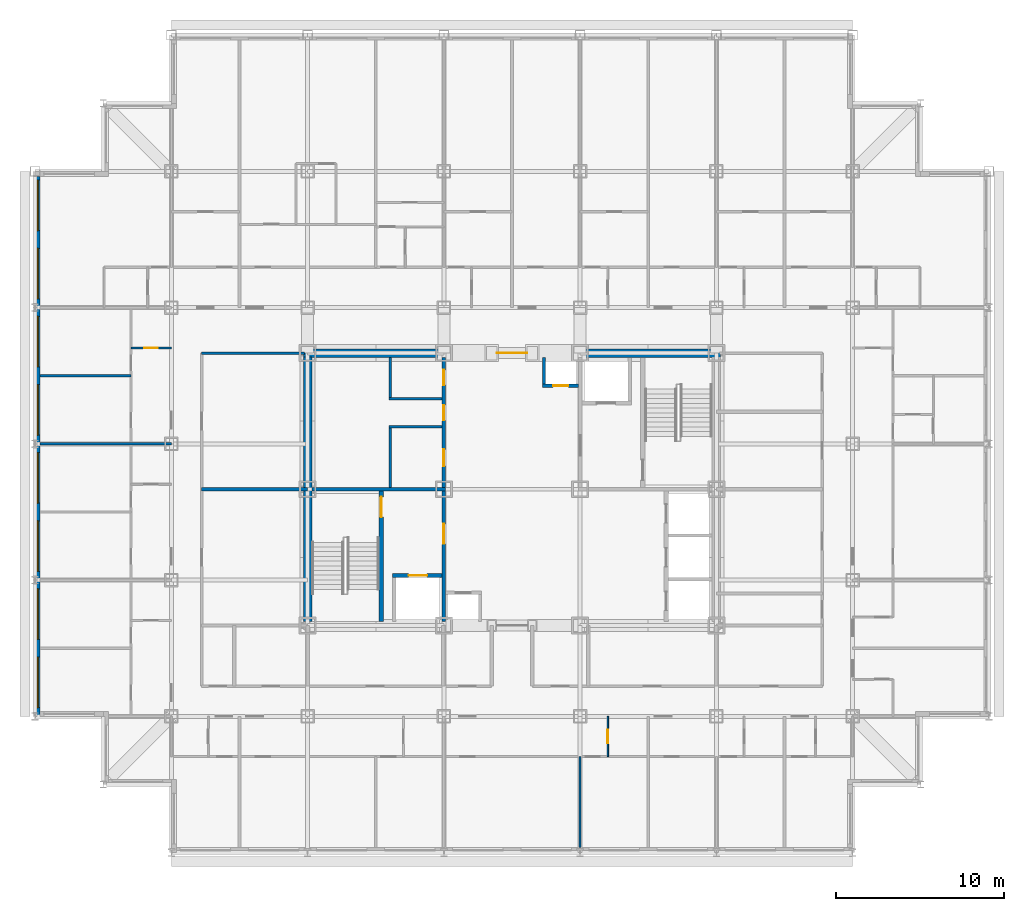
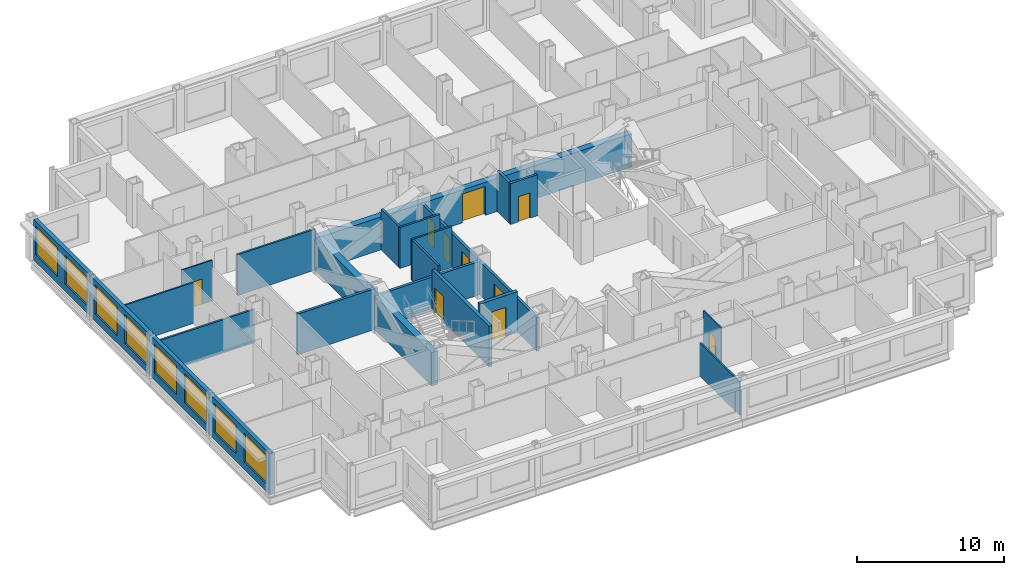
# One storey, part 6 of 12: 21 walls, 10 doors, 8 windows, 18 openings.
"""IFC4 building model written with IfcOpenShell, lengths in metres."""

from ifc_helpers import new_model, si_unit, direction, frame, frame_2d, origin, place, context, subcontext, project, spatial, rectangle, extrude, material, layer, layer_set, type_object, element, fill, save


model = new_model("IFC4")

# Units and contexts
model_context = context("Model", 3, precision=1e-05, world=origin(), true_north=direction((0.0, 1.0)))
body_context = subcontext(model_context, "Body", "Model", "MODEL_VIEW")
ifc_project = project(units=[si_unit("LENGTHUNIT", "METRE"), si_unit("AREAUNIT", "SQUARE_METRE"), si_unit("VOLUMEUNIT", "CUBIC_METRE"), si_unit("PLANEANGLEUNIT", "RADIAN"), si_unit("MASSUNIT", "GRAM", prefix="KILO")], contexts=[model_context])

# Site, building, storey
site_placement = place(None, origin())
site = spatial("IfcSite", under=ifc_project, at=site_placement, CompositionType="ELEMENT")
building_placement = place(site_placement, origin())
building = spatial("IfcBuilding", under=site, at=building_placement, Name="Kopane Lantern Tower", CompositionType="ELEMENT")
storey_placement = place(building_placement, frame((0.0, 0.0, 192.0)))
storey = spatial("IfcBuildingStorey", under=building, at=storey_placement, Name="L49", CompositionType="ELEMENT", Elevation=192.0)

# Walls
ifc_material_1 = material(Name="Gypsum board on steel studs", Category="steel")
ifc_layer_1 = layer(ifc_material_1, 0.1201171875)
ifc_layer_set_1 = layer_set([ifc_layer_1], Name="APARTMENT INTERNAL WALL 120")
wall_type_1 = type_object("IfcWallType", Name="APARTMENT INTERNAL WALL 120", PredefinedType="PARTITIONING", material=ifc_layer_set_1)
wall_1_placement = place(storey_placement, frame((32.39990234375, 16.5, 0.0), z_axis=(0.0, 0.0, 1.0), x_axis=(0.0, -1.0, 0.0)))
element("IfcWall", 1, at=wall_1_placement, inside=storey, type_object=wall_type_1, Name="Apartment Internal Wall 120 L49", PredefinedType="PARTITIONING", context=body_context, shape_type="SweptSolid", body=[
    extrude(rectangle(XDim=5.39990234375, YDim=0.1201171875, at=frame_2d((2.699951171875, 0.0))), origin(), (0.0, 0.0, 1.0), 2.77783203125),
])
wall_2_placement = place(storey_placement, frame((5.699951171875, 39.14990234375, 0.0), z_axis=(0.0, 0.0, 1.0), x_axis=(-1.0, 0.0, 0.0)))
element("IfcWall", 2, at=wall_2_placement, inside=storey, type_object=wall_type_1, Name="Apartment Internal Wall 120 L49", PredefinedType="PARTITIONING", context=body_context, shape_type="SweptSolid", body=[
    extrude(rectangle(XDim=5.39990234375, YDim=0.1201171875, at=frame_2d((2.699951171875, 0.0))), origin(), (0.0, 0.0, 1.0), 3.389892578125),
])

# Wall, opening, door
ifc_material_2 = material(Name="Moisture-resistant board on steel studs", Category="steel")
ifc_layer_2 = layer(ifc_material_2, 0.10009765625)
ifc_layer_set_2 = layer_set([ifc_layer_2], Name="BATHROOM WALL 100")
wall_type_2 = type_object("IfcWallType", Name="BATHROOM WALL 100", PredefinedType="PARTITIONING", material=ifc_layer_set_2)
wall_3_placement = place(storey_placement, frame((34.050048828125, 18.89990234375, 0.0), z_axis=(0.0, 0.0, 1.0), x_axis=(0.0, -1.0, 0.0)))
wall_3 = element("IfcWall", 3, at=wall_3_placement, inside=storey, type_object=wall_type_2, Name="Bathroom Wall 100 L49", PredefinedType="PARTITIONING", context=body_context, shape_type="SweptSolid", body=[
    extrude(rectangle(XDim=2.39990234375, YDim=0.10009765625, at=frame_2d((1.199951171875, 0.0))), origin(), (0.0, 0.0, 1.0), 3.389892578125),
])
opening_1_placement = place(wall_3_placement, frame((0.800048828125, 0.0, 0.0)))
opening_1 = element("IfcOpeningElement", 4, at=opening_1_placement, cuts=wall_3, Name="Opening L49-018", PredefinedType="OPENING", context=body_context, shape_type="SweptSolid", body=[
    extrude(rectangle(XDim=0.800048828125, YDim=2.10009765625, at=frame_2d((0.39990234375, 1.050048828125))), frame((0.0, 0.06005859375, 0.0), z_axis=(0.0, -1.0, 0.0), x_axis=(1.0, 0.0, 0.0)), (0.0, 0.0, 1.0), 0.1201171875),
])
ifc_material_3 = material(Name="Timber door set", Category="wood")
door_type_1 = type_object("IfcDoorType", Name="DOOR D2 800x2100", OperationType="SINGLE_SWING_LEFT", PredefinedType="DOOR", material=ifc_material_3)
door_1_placement = place(opening_1_placement, origin())
door_1 = element("IfcDoor", 5, at=door_1_placement, inside=storey, type_object=door_type_1, Name="Door L49-018", OperationType="SINGLE_SWING_LEFT", OverallHeight=2.10009765625, OverallWidth=0.800048828125, PredefinedType="DOOR", context=body_context, shape_type="SweptSolid", body=[
    extrude(rectangle(XDim=0.800048828125, YDim=2.10009765625, at=frame_2d((0.39990234375, 1.050048828125))), frame((0.0, 0.02490234375, 0.0), z_axis=(0.0, -1.0, 0.0), x_axis=(1.0, 0.0, 0.0)), (0.0, 0.0, 1.0), 0.050048828125),
])
fill(opening_1, door_1)

wall_4_placement = place(storey_placement, frame((8.10009765625, 40.800048828125, 0.0), z_axis=(0.0, 0.0, 1.0), x_axis=(-1.0, 0.0, 0.0)))
wall_4 = element("IfcWall", 6, at=wall_4_placement, inside=storey, type_object=wall_type_2, Name="Bathroom Wall 100 L49", PredefinedType="PARTITIONING", context=body_context, shape_type="SweptSolid", body=[
    extrude(rectangle(XDim=2.400146484375, YDim=0.10009765625, at=frame_2d((1.2001953125, 0.0))), origin(), (0.0, 0.0, 1.0), 3.389892578125),
])
opening_2_placement = place(wall_4_placement, frame((0.800048828125, 0.0, 0.0)))
opening_2 = element("IfcOpeningElement", 7, at=opening_2_placement, cuts=wall_4, Name="Opening L49-048", PredefinedType="OPENING", context=body_context, shape_type="SweptSolid", body=[
    extrude(rectangle(XDim=0.800048828125, YDim=2.10009765625, at=frame_2d((0.39990234375, 1.050048828125))), frame((0.0, 0.06005859375, 0.0), z_axis=(0.0, -1.0, 0.0), x_axis=(1.0, 0.0, 0.0)), (0.0, 0.0, 1.0), 0.1201171875),
])
door_2_placement = place(opening_2_placement, origin())
door_2 = element("IfcDoor", 8, at=door_2_placement, inside=storey, type_object=door_type_1, Name="Door L49-048", OperationType="SINGLE_SWING_RIGHT", OverallHeight=2.10009765625, OverallWidth=0.800048828125, PredefinedType="DOOR", context=body_context, shape_type="SweptSolid", body=[
    extrude(rectangle(XDim=0.800048828125, YDim=2.10009765625, at=frame_2d((0.39990234375, 1.050048828125))), frame((0.0, 0.02490234375, 0.0), z_axis=(0.0, -1.0, 0.0), x_axis=(1.0, 0.0, 0.0)), (0.0, 0.0, 1.0), 0.050048828125),
])
fill(opening_2, door_2)

ifc_material_4 = material(Name="Gypsum shaft wall EI 120", Category="gypsum")
ifc_layer_3 = layer(ifc_material_4, 0.5)
ifc_layer_set_3 = layer_set([ifc_layer_3], Name="CORE PERIMETER WALL 500 EI 120")
wall_type_3 = type_object("IfcWallType", Name="CORE PERIMETER WALL 500 EI 120", PredefinedType="SOLIDWALL", material=ifc_layer_set_3)
wall_5_placement = place(storey_placement, frame((15.949951171875, 40.5, 0.0), z_axis=(0.0, 0.0, 1.0), x_axis=(1.0, 0.0, 0.0)))
wall_5 = element("IfcWall", 9, at=wall_5_placement, inside=storey, type_object=wall_type_3, Name="Core shaft wall L49 PN", PredefinedType="SOLIDWALL", context=body_context, shape_type="SweptSolid", body=[
    extrude(rectangle(XDim=24.800048828125, YDim=0.5, at=frame_2d((12.39990234375, 0.0))), origin(), (0.0, 0.0, 1.0), 2.739990234375),
])
opening_3_placement = place(wall_5_placement, frame((11.5, 0.0, 0.0)))
opening_3 = element("IfcOpeningElement", 10, at=opening_3_placement, cuts=wall_5, Name="Opening 49.CE-N", PredefinedType="OPENING", context=body_context, shape_type="SweptSolid", body=[
    extrude(rectangle(XDim=1.800048828125, YDim=2.39990234375, at=frame_2d((0.89990234375, 1.199951171875))), frame((0.0, 0.260009765625, 0.0), z_axis=(0.0, -1.0, 0.0), x_axis=(1.0, 0.0, 0.0)), (0.0, 0.0, 1.0), 0.52001953125),
])
ifc_material_5 = material(Name="Steel door set", Category="steel")
door_type_2 = type_object("IfcDoorType", Name="CORE ENTRY DOOR 1800x2400 FD60S", OperationType="DOUBLE_DOOR_SINGLE_SWING", PredefinedType="DOOR", material=ifc_material_5)
door_3_placement = place(opening_3_placement, origin())
door_3 = element("IfcDoor", 11, at=door_3_placement, inside=storey, type_object=door_type_2, Name="Core entry door L49 north", OperationType="DOUBLE_DOOR_SINGLE_SWING", OverallHeight=2.39990234375, OverallWidth=1.800048828125, PredefinedType="DOOR", context=body_context, shape_type="SweptSolid", body=[
    extrude(rectangle(XDim=1.800048828125, YDim=2.39990234375, at=frame_2d((0.89990234375, 1.199951171875))), frame((0.0, 0.02490234375, 0.0), z_axis=(0.0, -1.0, 0.0), x_axis=(1.0, 0.0, 0.0)), (0.0, 0.0, 1.0), 0.050048828125),
])
fill(opening_3, door_3)

# Walls
wall_6_placement = place(storey_placement, frame((16.199951171875, 24.550048828125, 0.0), z_axis=(0.0, 0.0, 1.0), x_axis=(0.0, 1.0, 0.0)))
element("IfcWall", 12, at=wall_6_placement, inside=storey, type_object=wall_type_3, Name="Core shaft wall L49 PW", PredefinedType="SOLIDWALL", context=body_context, shape_type="SweptSolid", body=[
    extrude(rectangle(XDim=15.699951171875, YDim=0.5, at=frame_2d((7.85009765625, 0.0))), origin(), (0.0, 0.0, 1.0), 2.77783203125),
])
ifc_material_6 = material(Name="Gypsum partition EI 60", Category="gypsum")
ifc_layer_4 = layer(ifc_material_6, 0.14990234375)
ifc_layer_set_4 = layer_set([ifc_layer_4], Name="CORE ROOM PARTITION 150 EI 60")
wall_type_4 = type_object("IfcWallType", Name="CORE ROOM PARTITION 150 EI 60", PredefinedType="PARTITIONING", material=ifc_layer_set_4)
for number, where, z_axis, x_axis, name in (
    (13, (21.050048828125, 36.125, 0.0), (0.0, 0.0, 1.0), (1.0, 0.0, 0.0), "Core room partition L49 WW1"),
    (14, (21.050048828125, 37.77490234375, 0.0), (0.0, 0.0, 1.0), (1.0, 0.0, 0.0), "Core room partition L49 WW2"),
):
    element("IfcWall", number, at=place(storey_placement, frame(where, z_axis=z_axis, x_axis=x_axis)), inside=storey, type_object=wall_type_4, Name=name, PredefinedType="PARTITIONING", context=body_context, shape_type="SweptSolid", body=[
        extrude(rectangle(XDim=3.14990234375, YDim=0.14990234375, at=frame_2d((1.574951171875, 0.0))), origin(), (0.0, 0.0, 1.0), 3.389892578125),
    ])
wall_7_placement = place(storey_placement, frame((21.125, 32.5, 0.0), z_axis=(0.0, 0.0, 1.0), x_axis=(0.0, 1.0, 0.0)))
element("IfcWall", 15, at=wall_7_placement, inside=storey, type_object=wall_type_4, Name="Core room partition L49 WWB0", PredefinedType="PARTITIONING", context=body_context, shape_type="SweptSolid", body=[
    extrude(rectangle(XDim=3.550048828125, YDim=0.14990234375, at=frame_2d((1.77490234375, 0.0))), origin(), (0.0, 0.0, 1.0), 3.389892578125),
])
wall_8_placement = place(storey_placement, frame((21.125, 37.85009765625, 0.0), z_axis=(0.0, 0.0, 1.0), x_axis=(0.0, 1.0, 0.0)))
element("IfcWall", 16, at=wall_8_placement, inside=storey, type_object=wall_type_4, Name="Core room partition L49 WWB1", PredefinedType="PARTITIONING", context=body_context, shape_type="SweptSolid", body=[
    extrude(rectangle(XDim=2.39990234375, YDim=0.14990234375, at=frame_2d((1.199951171875, 0.0))), origin(), (0.0, 0.0, 1.0), 3.389892578125),
])

# Wall, openings, doors
ifc_material_7 = material(Name="Gypsum partition EI 60", Category="gypsum")
ifc_layer_5 = layer(ifc_material_7, 0.199951171875)
ifc_layer_set_5 = layer_set([ifc_layer_5], Name="CORE ROOM WALL 200 EI 60")
wall_type_5 = type_object("IfcWallType", Name="CORE ROOM WALL 200 EI 60", PredefinedType="PARTITIONING", material=ifc_layer_set_5)
wall_9_placement = place(storey_placement, frame((24.300048828125, 32.5, 0.0), z_axis=(0.0, 0.0, 1.0), x_axis=(0.0, 1.0, 0.0)))
wall_9 = element("IfcWall", 17, at=wall_9_placement, inside=storey, type_object=wall_type_5, Name="Core room wall L49 XW", PredefinedType="PARTITIONING", context=body_context, shape_type="SweptSolid", body=[
    extrude(rectangle(XDim=7.75, YDim=0.199951171875, at=frame_2d((3.875, 0.0))), origin(), (0.0, 0.0, 1.0), 2.77783203125),
])
opening_4_placement = place(wall_9_placement, frame((1.27490234375, 0.0, 0.0)))
opening_4 = element("IfcOpeningElement", 18, at=opening_4_placement, cuts=wall_9, Name="Opening 49.C30", PredefinedType="OPENING", context=body_context, shape_type="SweptSolid", body=[
    extrude(rectangle(XDim=1.0, YDim=2.10009765625, at=frame_2d((0.5, 1.050048828125))), frame((0.0, 0.10986328125, 0.0), z_axis=(0.0, -1.0, 0.0), x_axis=(1.0, 0.0, 0.0)), (0.0, 0.0, 1.0), 0.219970703125),
])
opening_5_placement = place(wall_9_placement, frame((4.0, 0.0, 0.0)))
opening_5 = element("IfcOpeningElement", 19, at=opening_5_placement, cuts=wall_9, Name="Opening 49.C31", PredefinedType="OPENING", context=body_context, shape_type="SweptSolid", body=[
    extrude(rectangle(XDim=0.89990234375, YDim=2.10009765625, at=frame_2d((0.449951171875, 1.050048828125))), frame((0.0, 0.10986328125, 0.0), z_axis=(0.0, -1.0, 0.0), x_axis=(1.0, 0.0, 0.0)), (0.0, 0.0, 1.0), 0.219970703125),
])
opening_6_placement = place(wall_9_placement, frame((6.10009765625, 0.0, 0.0)))
opening_6 = element("IfcOpeningElement", 20, at=opening_6_placement, cuts=wall_9, Name="Opening 49.C32", PredefinedType="OPENING", context=body_context, shape_type="SweptSolid", body=[
    extrude(rectangle(XDim=0.89990234375, YDim=2.10009765625, at=frame_2d((0.449951171875, 1.050048828125))), frame((0.0, 0.10986328125, 0.0), z_axis=(0.0, -1.0, 0.0), x_axis=(1.0, 0.0, 0.0)), (0.0, 0.0, 1.0), 0.219970703125),
])
ifc_material_8 = material(Name="Steel door set", Category="steel")
door_type_3 = type_object("IfcDoorType", Name="CORE ROOM DOOR 1000x2100 FD30S", OperationType="SINGLE_SWING_RIGHT", PredefinedType="DOOR", material=ifc_material_8)
door_4_placement = place(opening_4_placement, origin())
door_4 = element("IfcDoor", 21, at=door_4_placement, inside=storey, type_object=door_type_3, Name="Door Parcel room L49", OperationType="SINGLE_SWING_LEFT", OverallHeight=2.10009765625, OverallWidth=1.0, PredefinedType="DOOR", context=body_context, shape_type="SweptSolid", body=[
    extrude(rectangle(XDim=1.0, YDim=2.10009765625, at=frame_2d((0.5, 1.050048828125))), frame((0.0, 0.02490234375, 0.0), z_axis=(0.0, -1.0, 0.0), x_axis=(1.0, 0.0, 0.0)), (0.0, 0.0, 1.0), 0.050048828125),
])
fill(opening_4, door_4)
ifc_material_9 = material(Name="Steel door set", Category="steel")
door_type_4 = type_object("IfcDoorType", Name="CORE ROOM DOOR 900x2100 FD60", OperationType="SINGLE_SWING_LEFT", PredefinedType="DOOR", material=ifc_material_9)
door_5_placement = place(opening_5_placement, origin())
door_5 = element("IfcDoor", 22, at=door_5_placement, inside=storey, type_object=door_type_4, Name="Door Residents storage L49", OperationType="SINGLE_SWING_RIGHT", OverallHeight=2.10009765625, OverallWidth=0.89990234375, PredefinedType="DOOR", context=body_context, shape_type="SweptSolid", body=[
    extrude(rectangle(XDim=0.89990234375, YDim=2.10009765625, at=frame_2d((0.449951171875, 1.050048828125))), frame((0.0, 0.02490234375, 0.0), z_axis=(0.0, -1.0, 0.0), x_axis=(1.0, 0.0, 0.0)), (0.0, 0.0, 1.0), 0.050048828125),
])
fill(opening_5, door_5)
door_6_placement = place(opening_6_placement, origin())
door_6 = element("IfcDoor", 23, at=door_6_placement, inside=storey, type_object=door_type_4, Name="Door IT room L49", OperationType="SINGLE_SWING_LEFT", OverallHeight=2.10009765625, OverallWidth=0.89990234375, PredefinedType="DOOR", context=body_context, shape_type="SweptSolid", body=[
    extrude(rectangle(XDim=0.89990234375, YDim=2.10009765625, at=frame_2d((0.449951171875, 1.050048828125))), frame((0.0, 0.02490234375, 0.0), z_axis=(0.0, -1.0, 0.0), x_axis=(1.0, 0.0, 0.0)), (0.0, 0.0, 1.0), 0.050048828125),
])
fill(opening_6, door_6)

# Wall, opening, door
ifc_material_10 = material(Name="Gypsum shaft wall EI 120", Category="gypsum")
ifc_layer_6 = layer(ifc_material_10, 0.25)
ifc_layer_set_6 = layer_set([ifc_layer_6], Name="CORE SHAFT WALL 250 EI 120")
wall_type_6 = type_object("IfcWallType", Name="CORE SHAFT WALL 250 EI 120", PredefinedType="SOLIDWALL", material=ifc_layer_set_6)
wall_10_placement = place(storey_placement, frame((20.574951171875, 24.550048828125, 0.0), z_axis=(0.0, 0.0, 1.0), x_axis=(0.0, 1.0, 0.0)))
wall_10 = element("IfcWall", 24, at=wall_10_placement, inside=storey, type_object=wall_type_6, Name="Core shaft wall L49 XST1", PredefinedType="SOLIDWALL", context=body_context, shape_type="SweptSolid", body=[
    extrude(rectangle(XDim=7.75, YDim=0.25, at=frame_2d((3.875, 0.0))), origin(), (0.0, 0.0, 1.0), 3.389892578125),
])
opening_7_placement = place(wall_10_placement, frame((6.199951171875, 0.0, 0.0)))
opening_7 = element("IfcOpeningElement", 25, at=opening_7_placement, cuts=wall_10, Name="Opening 49.SD1", PredefinedType="OPENING", context=body_context, shape_type="SweptSolid", body=[
    extrude(rectangle(XDim=1.199951171875, YDim=2.10009765625, at=frame_2d((0.60009765625, 1.050048828125))), frame((0.0, 0.135009765625, 0.0), z_axis=(0.0, -1.0, 0.0), x_axis=(1.0, 0.0, 0.0)), (0.0, 0.0, 1.0), 0.27001953125),
])
ifc_material_11 = material(Name="Steel door set", Category="steel")
door_type_5 = type_object("IfcDoorType", Name="STAIR DOOR 1200x2100 FD60S", OperationType="SINGLE_SWING_LEFT", PredefinedType="DOOR", material=ifc_material_11)
door_7_placement = place(opening_7_placement, origin())
door_7 = element("IfcDoor", 26, at=door_7_placement, inside=storey, type_object=door_type_5, Name="Stair door ST1 L49", OperationType="SINGLE_SWING_LEFT", OverallHeight=2.10009765625, OverallWidth=1.199951171875, PredefinedType="DOOR", context=body_context, shape_type="SweptSolid", body=[
    extrude(rectangle(XDim=1.199951171875, YDim=2.10009765625, at=frame_2d((0.60009765625, 1.050048828125))), frame((0.0, 0.02490234375, 0.0), z_axis=(0.0, -1.0, 0.0), x_axis=(1.0, 0.0, 0.0)), (0.0, 0.0, 1.0), 0.050048828125),
])
fill(opening_7, door_7)

wall_11_placement = place(storey_placement, frame((21.25, 27.27490234375, 0.0), z_axis=(0.0, 0.0, 1.0), x_axis=(1.0, 0.0, 0.0)))
wall_11 = element("IfcWall", 27, at=wall_11_placement, inside=storey, type_object=wall_type_6, Name="Core shaft wall L49 YLF1", PredefinedType="SOLIDWALL", context=body_context, shape_type="SweptSolid", body=[
    extrude(rectangle(XDim=2.949951171875, YDim=0.25, at=frame_2d((1.47509765625, 0.0))), origin(), (0.0, 0.0, 1.0), 3.389892578125),
])
opening_8_placement = place(wall_11_placement, frame((0.949951171875, 0.0, 0.0)))
opening_8 = element("IfcOpeningElement", 28, at=opening_8_placement, cuts=wall_11, Name="Opening 49.LD-LF1", PredefinedType="OPENING", context=body_context, shape_type="SweptSolid", body=[
    extrude(rectangle(XDim=1.10009765625, YDim=2.39990234375, at=frame_2d((0.550048828125, 1.199951171875))), frame((0.0, 0.135009765625, 0.0), z_axis=(0.0, -1.0, 0.0), x_axis=(1.0, 0.0, 0.0)), (0.0, 0.0, 1.0), 0.27001953125),
])
ifc_material_12 = material(Name="Steel door set", Category="steel")
door_type_6 = type_object("IfcDoorType", Name="LIFT LANDING DOOR 1100x2400 FD60", OperationType="DOUBLE_DOOR_SLIDING", PredefinedType="DOOR", material=ifc_material_12)
door_8_placement = place(opening_8_placement, origin())
door_8 = element("IfcDoor", 29, at=door_8_placement, inside=storey, type_object=door_type_6, Name="Landing door LF1 L49", OperationType="DOUBLE_DOOR_SLIDING", OverallHeight=2.39990234375, OverallWidth=1.10009765625, PredefinedType="DOOR", context=body_context, shape_type="SweptSolid", body=[
    extrude(rectangle(XDim=1.10009765625, YDim=2.39990234375, at=frame_2d((0.550048828125, 1.199951171875))), frame((0.0, 0.02490234375, 0.0), z_axis=(0.0, -1.0, 0.0), x_axis=(1.0, 0.0, 0.0)), (0.0, 0.0, 1.0), 0.050048828125),
])
fill(opening_8, door_8)

# Walls
ifc_material_13 = material(Name="Gypsum board on steel studs", Category="steel")
ifc_layer_7 = layer(ifc_material_13, 0.14990234375)
ifc_layer_set_7 = layer_set([ifc_layer_7], Name="CORRIDOR WALL 150 EI 60")
wall_type_7 = type_object("IfcWallType", Name="CORRIDOR WALL 150 EI 60", PredefinedType="PARTITIONING", material=ifc_layer_set_7)
wall_12_placement = place(storey_placement, frame((16.0, 40.5, 0.0), z_axis=(0.0, 0.0, 1.0), x_axis=(-1.0, 0.0, 0.0)))
element("IfcWall", 30, at=wall_12_placement, inside=storey, type_object=wall_type_7, Name="Corridor Wall 150 Ei 60 L49", PredefinedType="PARTITIONING", context=body_context, shape_type="SweptSolid", body=[
    extrude(rectangle(XDim=6.10009765625, YDim=0.14990234375, at=frame_2d((3.050048828125, 0.0))), origin(), (0.0, 0.0, 1.0), 3.389892578125),
])
ifc_material_14 = material(Name="Gypsum board on steel studs", Category="steel")
ifc_layer_8 = layer(ifc_material_14, 0.14990234375)
ifc_layer_set_8 = layer_set([ifc_layer_8], Name="DEMISING WALL 150 EI 60")
wall_type_8 = type_object("IfcWallType", Name="DEMISING WALL 150 EI 60", PredefinedType="PARTITIONING", material=ifc_layer_set_8)
wall_13_placement = place(storey_placement, frame((8.10009765625, 35.10009765625, 0.0), z_axis=(0.0, 0.0, 1.0), x_axis=(-1.0, 0.0, 0.0)))
element("IfcWall", 31, at=wall_13_placement, inside=storey, type_object=wall_type_8, Name="Demising Wall 150 Ei 60 L49", PredefinedType="PARTITIONING", context=body_context, shape_type="SweptSolid", body=[
    extrude(rectangle(XDim=7.800048828125, YDim=0.14990234375, at=frame_2d((3.89990234375, 0.0))), origin(), (0.0, 0.0, 1.0), 2.77783203125),
])

# Wall, openings, windows
ifc_material_15 = material(Name="Terracotta rainscreen on light steel framing", Category="masonry")
ifc_layer_9 = layer(ifc_material_15, 0.300048828125)
ifc_layer_set_9 = layer_set([ifc_layer_9], Name="EXTERNAL WALL EW1 300 TERRACOTTA")
wall_type_9 = type_object("IfcWallType", Name="EXTERNAL WALL EW1 300 TERRACOTTA", PredefinedType="SOLIDWALL", material=ifc_layer_set_9)
wall_14_placement = place(storey_placement, frame((0.14990234375, 51.0, 0.0), z_axis=(0.0, 0.0, 1.0), x_axis=(0.0, -1.0, 0.0)))
wall_14 = element("IfcWall", 32, at=wall_14_placement, inside=storey, type_object=wall_type_9, Name="External wall W L49", PredefinedType="SOLIDWALL", context=body_context, shape_type="SweptSolid", body=[
    extrude(rectangle(XDim=32.10009765625, YDim=0.300048828125, at=frame_2d((16.050048828125, 0.0))), origin(), (0.0, 0.0, 1.0), 3.389892578125),
])
opening_9_placement = place(wall_14_placement, frame((0.22509765625, 0.0, 0.60009765625)))
opening_9 = element("IfcOpeningElement", 33, at=opening_9_placement, cuts=wall_14, Name="Opening WR300240", PredefinedType="OPENING", context=body_context, shape_type="SweptSolid", body=[
    extrude(rectangle(XDim=3.0, YDim=2.39990234375, at=frame_2d((1.5, 1.199951171875))), frame((0.0, 0.159912109375, 0.0), z_axis=(0.0, -1.0, 0.0), x_axis=(1.0, 0.0, 0.0)), (0.0, 0.0, 1.0), 0.320068359375),
])
opening_10_placement = place(wall_14_placement, frame((4.27490234375, 0.0, 0.60009765625)))
opening_10 = element("IfcOpeningElement", 34, at=opening_10_placement, cuts=wall_14, Name="Opening WR300240", PredefinedType="OPENING", context=body_context, shape_type="SweptSolid", body=[
    extrude(rectangle(XDim=3.0, YDim=2.39990234375, at=frame_2d((1.5, 1.199951171875))), frame((0.0, 0.159912109375, 0.0), z_axis=(0.0, -1.0, 0.0), x_axis=(1.0, 0.0, 0.0)), (0.0, 0.0, 1.0), 0.320068359375),
])
opening_11_placement = place(wall_14_placement, frame((8.324951171875, 0.0, 0.60009765625)))
opening_11 = element("IfcOpeningElement", 35, at=opening_11_placement, cuts=wall_14, Name="Opening WR300240", PredefinedType="OPENING", context=body_context, shape_type="SweptSolid", body=[
    extrude(rectangle(XDim=3.0, YDim=2.39990234375, at=frame_2d((1.5, 1.199951171875))), frame((0.0, 0.159912109375, 0.0), z_axis=(0.0, -1.0, 0.0), x_axis=(1.0, 0.0, 0.0)), (0.0, 0.0, 1.0), 0.320068359375),
])
opening_12_placement = place(wall_14_placement, frame((12.375, 0.0, 0.60009765625)))
opening_12 = element("IfcOpeningElement", 36, at=opening_12_placement, cuts=wall_14, Name="Opening WR300240", PredefinedType="OPENING", context=body_context, shape_type="SweptSolid", body=[
    extrude(rectangle(XDim=3.0, YDim=2.39990234375, at=frame_2d((1.5, 1.199951171875))), frame((0.0, 0.159912109375, 0.0), z_axis=(0.0, -1.0, 0.0), x_axis=(1.0, 0.0, 0.0)), (0.0, 0.0, 1.0), 0.320068359375),
])
opening_13_placement = place(wall_14_placement, frame((16.425048828125, 0.0, 0.60009765625)))
opening_13 = element("IfcOpeningElement", 37, at=opening_13_placement, cuts=wall_14, Name="Opening WR300240", PredefinedType="OPENING", context=body_context, shape_type="SweptSolid", body=[
    extrude(rectangle(XDim=3.0, YDim=2.39990234375, at=frame_2d((1.5, 1.199951171875))), frame((0.0, 0.159912109375, 0.0), z_axis=(0.0, -1.0, 0.0), x_axis=(1.0, 0.0, 0.0)), (0.0, 0.0, 1.0), 0.320068359375),
])
opening_14_placement = place(wall_14_placement, frame((20.47509765625, 0.0, 0.60009765625)))
opening_14 = element("IfcOpeningElement", 38, at=opening_14_placement, cuts=wall_14, Name="Opening WR300240", PredefinedType="OPENING", context=body_context, shape_type="SweptSolid", body=[
    extrude(rectangle(XDim=3.0, YDim=2.39990234375, at=frame_2d((1.5, 1.199951171875))), frame((0.0, 0.159912109375, 0.0), z_axis=(0.0, -1.0, 0.0), x_axis=(1.0, 0.0, 0.0)), (0.0, 0.0, 1.0), 0.320068359375),
])
opening_15_placement = place(wall_14_placement, frame((24.52490234375, 0.0, 0.60009765625)))
opening_15 = element("IfcOpeningElement", 39, at=opening_15_placement, cuts=wall_14, Name="Opening WR300240", PredefinedType="OPENING", context=body_context, shape_type="SweptSolid", body=[
    extrude(rectangle(XDim=3.0, YDim=2.39990234375, at=frame_2d((1.5, 1.199951171875))), frame((0.0, 0.159912109375, 0.0), z_axis=(0.0, -1.0, 0.0), x_axis=(1.0, 0.0, 0.0)), (0.0, 0.0, 1.0), 0.320068359375),
])
opening_16_placement = place(wall_14_placement, frame((28.574951171875, 0.0, 0.60009765625)))
opening_16 = element("IfcOpeningElement", 40, at=opening_16_placement, cuts=wall_14, Name="Opening WR300240", PredefinedType="OPENING", context=body_context, shape_type="SweptSolid", body=[
    extrude(rectangle(XDim=3.0, YDim=2.39990234375, at=frame_2d((1.5, 1.199951171875))), frame((0.0, 0.159912109375, 0.0), z_axis=(0.0, -1.0, 0.0), x_axis=(1.0, 0.0, 0.0)), (0.0, 0.0, 1.0), 0.320068359375),
])
ifc_material_16 = material(Name="Aluminium and clear glass", Category="aluminium")
window_type = type_object("IfcWindowType", Name="RIBBON WINDOW WR300240 3000x2400", PartitioningType="SINGLE_PANEL", PredefinedType="WINDOW", material=ifc_material_16)
window_1_placement = place(opening_9_placement, origin())
window_1 = element("IfcWindow", 41, at=window_1_placement, inside=storey, type_object=window_type, Name="Window W L49", OverallHeight=2.39990234375, OverallWidth=3.0, PartitioningType="SINGLE_PANEL", PredefinedType="WINDOW", context=body_context, shape_type="SweptSolid", body=[
    extrude(rectangle(XDim=3.0, YDim=2.39990234375, at=frame_2d((1.5, 1.199951171875))), frame((0.0, 0.030029296875, 0.0), z_axis=(0.0, -1.0, 0.0), x_axis=(1.0, 0.0, 0.0)), (0.0, 0.0, 1.0), 0.06005859375),
])
fill(opening_9, window_1)
window_2_placement = place(opening_10_placement, origin())
window_2 = element("IfcWindow", 42, at=window_2_placement, inside=storey, type_object=window_type, Name="Window W L49", OverallHeight=2.39990234375, OverallWidth=3.0, PartitioningType="SINGLE_PANEL", PredefinedType="WINDOW", context=body_context, shape_type="SweptSolid", body=[
    extrude(rectangle(XDim=3.0, YDim=2.39990234375, at=frame_2d((1.5, 1.199951171875))), frame((0.0, 0.030029296875, 0.0), z_axis=(0.0, -1.0, 0.0), x_axis=(1.0, 0.0, 0.0)), (0.0, 0.0, 1.0), 0.06005859375),
])
fill(opening_10, window_2)
window_3_placement = place(opening_11_placement, origin())
window_3 = element("IfcWindow", 43, at=window_3_placement, inside=storey, type_object=window_type, Name="Window W L49", OverallHeight=2.39990234375, OverallWidth=3.0, PartitioningType="SINGLE_PANEL", PredefinedType="WINDOW", context=body_context, shape_type="SweptSolid", body=[
    extrude(rectangle(XDim=3.0, YDim=2.39990234375, at=frame_2d((1.5, 1.199951171875))), frame((0.0, 0.030029296875, 0.0), z_axis=(0.0, -1.0, 0.0), x_axis=(1.0, 0.0, 0.0)), (0.0, 0.0, 1.0), 0.06005859375),
])
fill(opening_11, window_3)
window_4_placement = place(opening_12_placement, origin())
window_4 = element("IfcWindow", 44, at=window_4_placement, inside=storey, type_object=window_type, Name="Window W L49", OverallHeight=2.39990234375, OverallWidth=3.0, PartitioningType="SINGLE_PANEL", PredefinedType="WINDOW", context=body_context, shape_type="SweptSolid", body=[
    extrude(rectangle(XDim=3.0, YDim=2.39990234375, at=frame_2d((1.5, 1.199951171875))), frame((0.0, 0.030029296875, 0.0), z_axis=(0.0, -1.0, 0.0), x_axis=(1.0, 0.0, 0.0)), (0.0, 0.0, 1.0), 0.06005859375),
])
fill(opening_12, window_4)
window_5_placement = place(opening_13_placement, origin())
window_5 = element("IfcWindow", 45, at=window_5_placement, inside=storey, type_object=window_type, Name="Window W L49", OverallHeight=2.39990234375, OverallWidth=3.0, PartitioningType="SINGLE_PANEL", PredefinedType="WINDOW", context=body_context, shape_type="SweptSolid", body=[
    extrude(rectangle(XDim=3.0, YDim=2.39990234375, at=frame_2d((1.5, 1.199951171875))), frame((0.0, 0.030029296875, 0.0), z_axis=(0.0, -1.0, 0.0), x_axis=(1.0, 0.0, 0.0)), (0.0, 0.0, 1.0), 0.06005859375),
])
fill(opening_13, window_5)
window_6_placement = place(opening_14_placement, origin())
window_6 = element("IfcWindow", 46, at=window_6_placement, inside=storey, type_object=window_type, Name="Window W L49", OverallHeight=2.39990234375, OverallWidth=3.0, PartitioningType="SINGLE_PANEL", PredefinedType="WINDOW", context=body_context, shape_type="SweptSolid", body=[
    extrude(rectangle(XDim=3.0, YDim=2.39990234375, at=frame_2d((1.5, 1.199951171875))), frame((0.0, 0.030029296875, 0.0), z_axis=(0.0, -1.0, 0.0), x_axis=(1.0, 0.0, 0.0)), (0.0, 0.0, 1.0), 0.06005859375),
])
fill(opening_14, window_6)
window_7_placement = place(opening_15_placement, origin())
window_7 = element("IfcWindow", 47, at=window_7_placement, inside=storey, type_object=window_type, Name="Window W L49", OverallHeight=2.39990234375, OverallWidth=3.0, PartitioningType="SINGLE_PANEL", PredefinedType="WINDOW", context=body_context, shape_type="SweptSolid", body=[
    extrude(rectangle(XDim=3.0, YDim=2.39990234375, at=frame_2d((1.5, 1.199951171875))), frame((0.0, 0.030029296875, 0.0), z_axis=(0.0, -1.0, 0.0), x_axis=(1.0, 0.0, 0.0)), (0.0, 0.0, 1.0), 0.06005859375),
])
fill(opening_15, window_7)
window_8_placement = place(opening_16_placement, origin())
window_8 = element("IfcWindow", 48, at=window_8_placement, inside=storey, type_object=window_type, Name="Window W L49", OverallHeight=2.39990234375, OverallWidth=3.0, PartitioningType="SINGLE_PANEL", PredefinedType="WINDOW", context=body_context, shape_type="SweptSolid", body=[
    extrude(rectangle(XDim=3.0, YDim=2.39990234375, at=frame_2d((1.5, 1.199951171875))), frame((0.0, 0.030029296875, 0.0), z_axis=(0.0, -1.0, 0.0), x_axis=(1.0, 0.0, 0.0)), (0.0, 0.0, 1.0), 0.06005859375),
])
fill(opening_16, window_8)

# Walls
ifc_material_17 = material(Name="Concrete masonry", Category="masonry")
ifc_layer_10 = layer(ifc_material_17, 0.199951171875)
ifc_layer_set_10 = layer_set([ifc_layer_10], Name="PLANT ROOM WALL 200 EI 120")
wall_type_10 = type_object("IfcWallType", Name="PLANT ROOM WALL 200 EI 120", PredefinedType="SOLIDWALL", material=ifc_layer_set_10)
wall_15_placement = place(storey_placement, frame((9.89990234375, 32.39990234375, 0.0), z_axis=(0.0, 0.0, 1.0), x_axis=(1.0, 0.0, 0.0)))
element("IfcWall", 49, at=wall_15_placement, inside=storey, type_object=wall_type_10, Name="Plant Room Wall 200 Ei 120 L49", PredefinedType="SOLIDWALL", context=body_context, shape_type="SweptSolid", body=[
    extrude(rectangle(XDim=6.300048828125, YDim=0.199951171875, at=frame_2d((3.14990234375, 0.0))), origin(), (0.0, 0.0, 1.0), 3.389892578125),
])
ifc_material_18 = material(Name="Gypsum shaft wall EI 120", Category="gypsum")
ifc_layer_11 = layer(ifc_material_18, 0.199951171875)
ifc_layer_set_11 = layer_set([ifc_layer_11], Name="SHAFT WALL 200 EI 120")
wall_type_11 = type_object("IfcWallType", Name="SHAFT WALL 200 EI 120", PredefinedType="SOLIDWALL", material=ifc_layer_set_11)
wall_16_placement = place(storey_placement, frame((16.449951171875, 32.39990234375, 0.0), z_axis=(0.0, 0.0, 1.0), x_axis=(1.0, 0.0, 0.0)))
element("IfcWall", 50, at=wall_16_placement, inside=storey, type_object=wall_type_11, Name="Core shaft wall L49 Y324W", PredefinedType="SOLIDWALL", context=body_context, shape_type="SweptSolid", body=[
    extrude(rectangle(XDim=7.949951171875, YDim=0.199951171875, at=frame_2d((3.97509765625, 0.0))), origin(), (0.0, 0.0, 1.0), 2.77783203125),
])

# Wall, opening, door
wall_17_placement = place(storey_placement, frame((24.300048828125, 24.550048828125, 0.0), z_axis=(0.0, 0.0, 1.0), x_axis=(0.0, 1.0, 0.0)))
wall_17 = element("IfcWall", 51, at=wall_17_placement, inside=storey, type_object=wall_type_11, Name="Core shaft wall L49 X243", PredefinedType="SOLIDWALL", context=body_context, shape_type="SweptSolid", body=[
    extrude(rectangle(XDim=7.75, YDim=0.199951171875, at=frame_2d((3.875, 0.0))), origin(), (0.0, 0.0, 1.0), 2.77783203125),
])
opening_17_placement = place(wall_17_placement, frame((4.60009765625, 0.0, 0.0)))
opening_17 = element("IfcOpeningElement", 52, at=opening_17_placement, cuts=wall_17, Name="Opening 49.FL1", PredefinedType="OPENING", context=body_context, shape_type="SweptSolid", body=[
    extrude(rectangle(XDim=1.199951171875, YDim=2.10009765625, at=frame_2d((0.60009765625, 1.050048828125))), frame((0.0, 0.10986328125, 0.0), z_axis=(0.0, -1.0, 0.0), x_axis=(1.0, 0.0, 0.0)), (0.0, 0.0, 1.0), 0.219970703125),
])
ifc_material_19 = material(Name="Steel door set", Category="steel")
door_type_7 = type_object("IfcDoorType", Name="FIREFIGHTING LOBBY DOOR 1200x2100 FD60S", OperationType="SINGLE_SWING_RIGHT", PredefinedType="DOOR", material=ifc_material_19)
door_9_placement = place(opening_17_placement, origin())
door_9 = element("IfcDoor", 53, at=door_9_placement, inside=storey, type_object=door_type_7, Name="Firefighting lobby door FL1 L49", OperationType="SINGLE_SWING_LEFT", OverallHeight=2.10009765625, OverallWidth=1.199951171875, PredefinedType="DOOR", context=body_context, shape_type="SweptSolid", body=[
    extrude(rectangle(XDim=1.199951171875, YDim=2.10009765625, at=frame_2d((0.60009765625, 1.050048828125))), frame((0.0, 0.02490234375, 0.0), z_axis=(0.0, -1.0, 0.0), x_axis=(1.0, 0.0, 0.0)), (0.0, 0.0, 1.0), 0.050048828125),
])
fill(opening_17, door_9)

# Wall
wall_18_placement = place(storey_placement, frame((30.25, 38.64990234375, 0.0), z_axis=(0.0, 0.0, 1.0), x_axis=(0.0, 1.0, 0.0)))
element("IfcWall", 54, at=wall_18_placement, inside=storey, type_object=wall_type_11, Name="Core shaft wall L49 XRS2", PredefinedType="SOLIDWALL", context=body_context, shape_type="SweptSolid", body=[
    extrude(rectangle(XDim=1.60009765625, YDim=0.199951171875, at=frame_2d((0.800048828125, 0.0))), origin(), (0.0, 0.0, 1.0), 3.389892578125),
])

# Wall, opening, door
wall_19_placement = place(storey_placement, frame((30.14990234375, 38.550048828125, 0.0), z_axis=(0.0, 0.0, 1.0), x_axis=(1.0, 0.0, 0.0)))
wall_19 = element("IfcWall", 55, at=wall_19_placement, inside=storey, type_object=wall_type_11, Name="Core shaft wall L49 YRS2", PredefinedType="SOLIDWALL", context=body_context, shape_type="SweptSolid", body=[
    extrude(rectangle(XDim=2.150146484375, YDim=0.199951171875, at=frame_2d((1.0751953125, 0.0))), origin(), (0.0, 0.0, 1.0), 3.389892578125),
])
opening_18_placement = place(wall_19_placement, frame((0.64990234375, 0.0, 0.0)))
opening_18 = element("IfcOpeningElement", 56, at=opening_18_placement, cuts=wall_19, Name="Opening 49.RS2", PredefinedType="OPENING", context=body_context, shape_type="SweptSolid", body=[
    extrude(rectangle(XDim=0.89990234375, YDim=2.10009765625, at=frame_2d((0.449951171875, 1.050048828125))), frame((0.0, 0.10986328125, 0.0), z_axis=(0.0, -1.0, 0.0), x_axis=(1.0, 0.0, 0.0)), (0.0, 0.0, 1.0), 0.219970703125),
])
ifc_material_20 = material(Name="Steel door set", Category="steel")
door_type_8 = type_object("IfcDoorType", Name="RISER ACCESS DOOR 900x2100 FD60", OperationType="SINGLE_SWING_LEFT", PredefinedType="DOOR", material=ifc_material_20)
door_10_placement = place(opening_18_placement, origin())
door_10 = element("IfcDoor", 57, at=door_10_placement, inside=storey, type_object=door_type_8, Name="Riser access door RS2 L49", OperationType="SINGLE_SWING_LEFT", OverallHeight=2.10009765625, OverallWidth=0.89990234375, PredefinedType="DOOR", context=body_context, shape_type="SweptSolid", body=[
    extrude(rectangle(XDim=0.89990234375, YDim=2.10009765625, at=frame_2d((0.449951171875, 1.050048828125))), frame((0.0, 0.02490234375, 0.0), z_axis=(0.0, -1.0, 0.0), x_axis=(1.0, 0.0, 0.0)), (0.0, 0.0, 1.0), 0.050048828125),
])
fill(opening_18, door_10)

save(model, "model.ifc")
